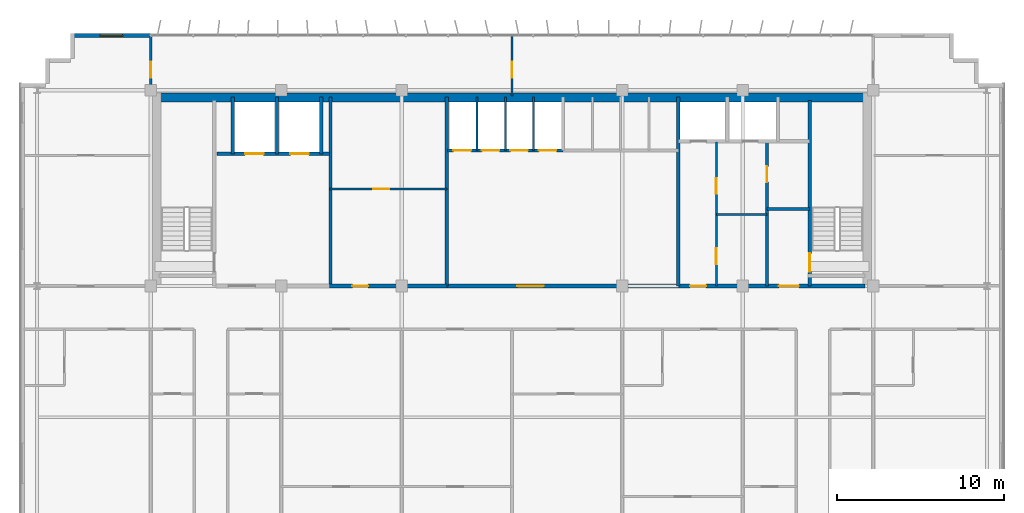
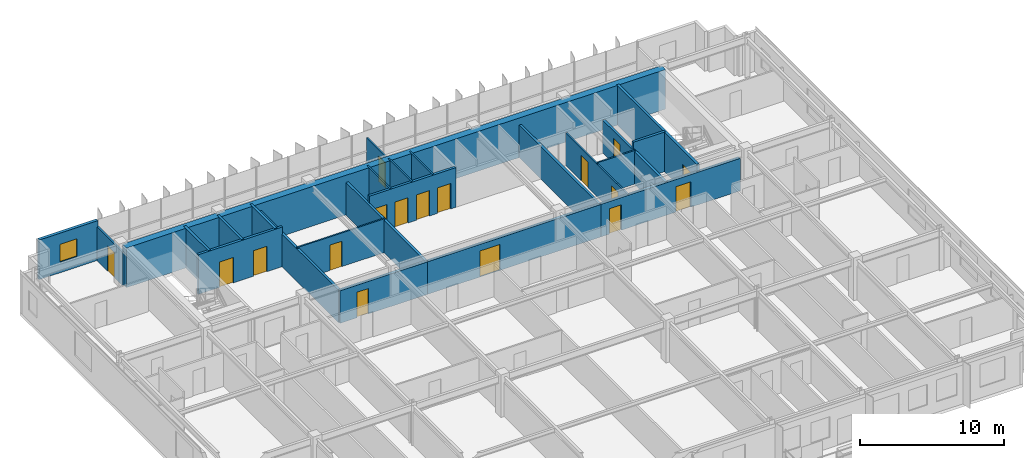
# One storey, part 17 of 20: 24 walls, 17 doors, 1 window, 18 openings.
"""IFC4 building model written with IfcOpenShell, lengths in metres."""

import ifcopenshell
import ifcopenshell.guid

model = None  # the IFC model being written
_history = None  # IfcOwnerHistory: only IFC2X3 demands one
_inside = {}  # id of a spatial element -> (the spatial element, [elements in it])
_under = {}  # id of a project, library or spatial element -> (it, [spatial elements below it])
_declared = {}  # id of a project -> (the project, [libraries it declares])
_typed = {}  # id of a type object -> (the type object, [elements of that type])
_made_of = {}  # id of a material, layer set ... -> (it, [elements and type objects made of it])


def new_model(schema):
    """Start an empty IFC model of exactly this schema.

    Asked for "IFC4X3", IfcOpenShell would pick the latest addendum, in which some entities
    have other attributes; the version numbers below select the first issue.
    IFC2X3 requires an IfcOwnerHistory on every rooted entity: one is made here for all.
    """
    global model, _history
    if schema == "IFC4X3":
        model = ifcopenshell.file(schema_version=(4, 3, 0, 0))
    else:
        model = ifcopenshell.file(schema=schema)
    _inside.clear()
    _under.clear()
    _declared.clear()
    _typed.clear()
    _made_of.clear()
    _history = None
    if model.schema == "IFC2X3":
        org = make("IfcOrganization", Name="unknown")
        user = make(
            "IfcPersonAndOrganization",
            ThePerson=make("IfcPerson", FamilyName="unknown"),
            TheOrganization=org,
        )
        app = make(
            "IfcApplication",
            ApplicationDeveloper=org,
            Version="unknown",
            ApplicationFullName="unknown",
            ApplicationIdentifier="unknown",
        )
        _history = make(
            "IfcOwnerHistory",
            OwningUser=user,
            OwningApplication=app,
            ChangeAction="ADDED",
            CreationDate=0,
        )
    return model


def make(cls, **values):
    """One entity of the class cls with the attributes given. An attribute that is None is left unset."""
    return model.create_entity(
        cls, **{name: value for name, value in values.items() if value is not None}
    )


def rooted(cls, **values):
    """An entity with a GlobalId (a new one), such as an element, a storey or a relation."""
    return make(cls, GlobalId=ifcopenshell.guid.new(), OwnerHistory=_history, **values)


def si_unit(unit_type, name, prefix=None):
    """IfcSIUnit, for example si_unit("LENGTHUNIT", "METRE", prefix="MILLI")."""
    return make("IfcSIUnit", UnitType=unit_type, Prefix=prefix, Name=name)


def assignment(units):
    """IfcUnitAssignment: the units of a project."""
    return None if units is None else make("IfcUnitAssignment", Units=units)


def point(xyz):
    """IfcCartesianPoint."""
    return None if xyz is None else make("IfcCartesianPoint", Coordinates=xyz)


def direction(xyz):
    """IfcDirection."""
    return None if xyz is None else make("IfcDirection", DirectionRatios=xyz)


def frame(location, z_axis=None, x_axis=None):
    """IfcAxis2Placement3D, a coordinate frame: its origin and axes. An axis left out is left unset."""
    return make(
        "IfcAxis2Placement3D",
        Location=point(location),
        Axis=direction(z_axis),
        RefDirection=direction(x_axis),
    )


def frame_2d(location, x_axis=None):
    """IfcAxis2Placement2D, a coordinate frame in the plane: its origin and x axis."""
    return make(
        "IfcAxis2Placement2D", Location=point(location), RefDirection=direction(x_axis)
    )


def origin():
    """The frame at (0, 0, 0) with its axes left unset."""
    return frame((0.0, 0.0, 0.0))


def place(relative_to, where):
    """IfcLocalPlacement: puts the frame where relative to a parent placement (None: the world)."""
    return make(
        "IfcLocalPlacement", PlacementRelTo=relative_to, RelativePlacement=where
    )


def context(
    kind, dimensions, precision=None, world=None, true_north=None, identifier=None
):
    """IfcGeometricRepresentationContext, for example the 3D "Model" context."""
    return make(
        "IfcGeometricRepresentationContext",
        ContextIdentifier=identifier,
        ContextType=kind,
        CoordinateSpaceDimension=dimensions,
        Precision=precision,
        WorldCoordinateSystem=world,
        TrueNorth=true_north,
    )


def subcontext(parent, identifier, kind, view, scale=None):
    """IfcGeometricRepresentationSubContext, for example "Body" below "Model"."""
    return make(
        "IfcGeometricRepresentationSubContext",
        ContextIdentifier=identifier,
        ContextType=kind,
        ParentContext=parent,
        TargetScale=scale,
        TargetView=view,
    )


def project(units=None, contexts=None):
    """IfcProject with its units and contexts."""
    return rooted(
        "IfcProject",
        Name="project",
        RepresentationContexts=contexts,
        UnitsInContext=assignment(units),
    )


def spatial(cls, under=None, at=None, **own):
    """A site, building, storey or space (cls), placed at a placement, below another one or the project."""
    s = rooted(cls, ObjectPlacement=at, **own)
    if under is not None:
        _under.setdefault(under.id(), (under, []))[1].append(s)
    return s


def profile(cls, at=None, kind="AREA", **sizes):
    """A parametric profile (cls). Its sizes go by their IFC names, for example OverallWidth=200.0."""
    return make(cls, ProfileType=kind, Position=at, **sizes)


def rectangle(**sizes):
    """IfcRectangleProfileDef."""
    return profile("IfcRectangleProfileDef", **sizes)


def extrude(swept, where, along, depth):
    """IfcExtrudedAreaSolid: the profile swept, set in the frame where, extruded along a direction by depth."""
    return make(
        "IfcExtrudedAreaSolid",
        SweptArea=swept,
        Position=where,
        ExtrudedDirection=direction(along),
        Depth=depth,
    )


def shape(context_of_items, identifier, shape_type, items):
    """IfcShapeRepresentation: the items that make up one representation, for example the "Body"."""
    return make(
        "IfcShapeRepresentation",
        ContextOfItems=context_of_items,
        RepresentationIdentifier=identifier,
        RepresentationType=shape_type,
        Items=items,
    )


def source(mapping_origin, context_of_items, identifier, shape_type, items):
    """IfcRepresentationMap: a shape defined once, which mapped items show again and again."""
    return make(
        "IfcRepresentationMap",
        MappingOrigin=mapping_origin,
        MappedRepresentation=shape(context_of_items, identifier, shape_type, items),
    )


def transform(
    local_origin,
    x_axis=None,
    y_axis=None,
    z_axis=None,
    scale=None,
    scale2=None,
    scale3=None,
    uniform=True,
):
    """IfcCartesianTransformationOperator3D, or its non-uniform kind. x_axis, y_axis, z_axis: its Axis1, 2, 3."""
    if uniform:
        return make(
            "IfcCartesianTransformationOperator3D",
            Axis1=direction(x_axis),
            Axis2=direction(y_axis),
            LocalOrigin=point(local_origin),
            Scale=scale,
            Axis3=direction(z_axis),
        )
    return make(
        "IfcCartesianTransformationOperator3DnonUniform",
        Axis1=direction(x_axis),
        Axis2=direction(y_axis),
        LocalOrigin=point(local_origin),
        Scale=scale,
        Axis3=direction(z_axis),
        Scale2=scale2,
        Scale3=scale3,
    )


def mapped(mapping_source, mapping_target):
    """IfcMappedItem: shows the shape of a source again, moved by a transform."""
    return make(
        "IfcMappedItem", MappingSource=mapping_source, MappingTarget=mapping_target
    )


def material(Name=None, Category=None):
    """IfcMaterial."""
    return make("IfcMaterial", Name=Name, Category=Category)


def layer(
    of_material, thickness, ventilated=None, Name=None, Category=None, Priority=None
):
    """IfcMaterialLayer: one layer of a wall or slab, of a material (None: an air gap)."""
    return make(
        "IfcMaterialLayer",
        Material=of_material,
        LayerThickness=thickness,
        IsVentilated=ventilated,
        Name=Name,
        Category=Category,
        Priority=Priority,
    )


def layer_set(layers, Name=None):
    """IfcMaterialLayerSet."""
    return make("IfcMaterialLayerSet", MaterialLayers=layers, LayerSetName=Name)


def made_of(thing, what):
    """Note that an element or type object is made of a material, layer set ...; save() writes the relation."""
    if what is not None:
        _made_of.setdefault(what.id(), (what, []))[1].append(thing)
    return thing


def type_object(cls, material=None, **own):
    """A type object (cls), such as IfcWallType, which elements share."""
    return made_of(rooted(cls, **own), material)


def element(
    cls,
    number,
    at=None,
    inside=None,
    cuts=None,
    type_object=None,
    material=None,
    context=None,
    identifier="Body",
    shape_type=None,
    held_by="IfcProductDefinitionShape",
    body=None,
    shapes=None,
    **own,
):
    """One element of the class cls, such as IfcWall. Its Tag is "e" and its number.

    at: its placement. inside: the storey or other place that contains it. cuts: it is an
    opening in that element (IfcRelVoidsElement). A single representation is given by context,
    identifier, shape_type and body (its items); several are given by shapes. held_by: the class
    of the entity that holds the representations. save() writes the other relations.
    """
    e = rooted(cls, Tag="e%d" % number, ObjectPlacement=at, **own)
    if body is not None:
        shapes = [shape(context, identifier, shape_type, body)]
    if shapes is not None:
        e.Representation = make(held_by, Representations=shapes)
    if inside is not None:
        _inside.setdefault(inside.id(), (inside, []))[1].append(e)
    if cuts is not None:
        rooted(
            "IfcRelVoidsElement", RelatingBuildingElement=cuts, RelatedOpeningElement=e
        )
    if type_object is not None:
        _typed.setdefault(type_object.id(), (type_object, []))[1].append(e)
    return made_of(e, material)


def fill(opening, filler):
    """IfcRelFillsElement: the door or window that sits in an opening."""
    return rooted(
        "IfcRelFillsElement",
        RelatingOpeningElement=opening,
        RelatedBuildingElement=filler,
    )


def aggregate(whole, parts):
    """IfcRelAggregates: a whole, such as a stair, and the parts it consists of."""
    return rooted("IfcRelAggregates", RelatingObject=whole, RelatedObjects=parts)


def save(model, path):
    """Write the relations noted so far, then the file.

    IfcRelAggregates (storeys below a building ...), IfcRelContainedInSpatialStructure (elements
    in a storey), IfcRelDefinesByType, IfcRelAssociatesMaterial and IfcRelDeclares: one each for
    every whole, place, type object, material and project.
    """
    for whole, parts in _under.values():
        aggregate(whole, parts)
    for where, things in _inside.values():
        rooted(
            "IfcRelContainedInSpatialStructure",
            RelatedElements=things,
            RelatingStructure=where,
        )
    for kind, things in _typed.values():
        rooted("IfcRelDefinesByType", RelatedObjects=things, RelatingType=kind)
    for what, things in _made_of.values():
        rooted("IfcRelAssociatesMaterial", RelatedObjects=things, RelatingMaterial=what)
    for by, libraries in _declared.values():
        rooted("IfcRelDeclares", RelatingContext=by, RelatedDefinitions=libraries)
    model.write(path)


model = new_model("IFC4")

# Units and contexts
model_context = context("Model", 3, precision=1e-05, world=origin(), true_north=direction((0.0, 1.0)))
body_context = subcontext(model_context, "Body", "Model", "MODEL_VIEW")
ifc_project = project(units=[si_unit("LENGTHUNIT", "METRE"), si_unit("AREAUNIT", "SQUARE_METRE"), si_unit("VOLUMEUNIT", "CUBIC_METRE"), si_unit("PLANEANGLEUNIT", "RADIAN"), si_unit("MASSUNIT", "GRAM", prefix="KILO")], contexts=[model_context])

# Site, building, storey
site_placement = place(None, origin())
site = spatial("IfcSite", under=ifc_project, at=site_placement, CompositionType="ELEMENT")
building_placement = place(site_placement, origin())
building = spatial("IfcBuilding", under=site, at=building_placement, Name="Trelvane Seafront Commons", CompositionType="ELEMENT")
storey_placement = place(building_placement, frame((0.0, 0.0, 164.5)))
storey = spatial("IfcBuildingStorey", under=building, at=storey_placement, Name="L43", CompositionType="ELEMENT", Elevation=164.5)

# Wall, opening, window
ifc_material_1 = material(Name="Precast concrete C40/50", Category="concrete")
ifc_layer_1 = layer(ifc_material_1, 0.239990234375, Name="ARCH-WALL-EXT240")
ifc_layer_set_1 = layer_set([ifc_layer_1], Name="Precast concrete C40/50")
wall_type_1 = type_object("IfcWallType", Name="ARCH-WALL-EXT240", PredefinedType="SOLIDWALL", material=ifc_layer_set_1)
wall_1_placement = place(storey_placement, frame((10.89990234375, 48.3701171875, 0.0), z_axis=(0.0, 0.0, 1.0), x_axis=(1.0, 0.0, 0.0)))
wall_1 = element("IfcWall", 1, at=wall_1_placement, inside=storey, type_object=wall_type_1, Name="EW-L43-NW-0842", PredefinedType="SOLIDWALL", context=body_context, shape_type="SweptSolid", body=[
    extrude(rectangle(XDim=4.7001953125, YDim=0.239990234375, at=frame_2d((2.35009765625, 0.0))), origin(), (0.0, 0.0, 1.0), 3.35009765625),
])
opening_1_placement = place(wall_1_placement, frame((1.675048828125, 0.0, 0.89990234375)))
opening_1 = element("IfcOpeningElement", 2, at=opening_1_placement, cuts=wall_1, Name="Opening W09", PredefinedType="OPENING", context=body_context, shape_type="SweptSolid", body=[
    extrude(rectangle(XDim=1.35009765625, YDim=1.5, at=frame_2d((0.675048828125, 0.75))), frame((0.0, 0.1298828125, 0.0), z_axis=(0.0, -1.0, 0.0), x_axis=(1.0, 0.0, 0.0)), (0.0, 0.0, 1.0), 0.260009765625),
])
ifc_material_2 = material(Name="Low-E coastal double glazing", Category="glass")
window_type = type_object("IfcWindowType", Name="ARCH-WIN-W09", PartitioningType="SINGLE_PANEL", PredefinedType="WINDOW", material=ifc_material_2)
shared_shape_1 = source(origin(), body_context, "Body", "SweptSolid", [
    extrude(rectangle(XDim=1.35009765625, YDim=1.5, at=frame_2d((0.675048828125, 0.75))), frame((0.0, 0.030029296875, 0.0), z_axis=(0.0, -1.0, 0.0), x_axis=(1.0, 0.0, 0.0)), (0.0, 0.0, 1.0), 0.06005859375),
])
window_placement = place(opening_1_placement, origin())
window = element("IfcWindow", 3, at=window_placement, inside=storey, type_object=window_type, Name="WIN-L43-01012", OverallHeight=1.5, OverallWidth=1.35009765625, PartitioningType="SINGLE_PANEL", PredefinedType="WINDOW", context=body_context, shape_type="MappedRepresentation", body=[
    mapped(shared_shape_1, transform((0.0, 0.0, 0.0), x_axis=(1.0, 0.0, 0.0), y_axis=(0.0, 1.0, 0.0), z_axis=(0.0, 0.0, 1.0), scale=1.0)),
])
fill(opening_1, window)

# Wall, opening, door
ifc_material_3 = material(Name="Concrete C40/50", Category="concrete")
ifc_layer_2 = layer(ifc_material_3, 0.199951171875, Name="ARCH-WALL-FIRE200")
ifc_layer_set_2 = layer_set([ifc_layer_2], Name="Concrete C40/50")
wall_type_2 = type_object("IfcWallType", Name="ARCH-WALL-FIRE200", PredefinedType="PARTITIONING", material=ifc_layer_set_2)
wall_2_placement = place(storey_placement, frame((52.449951171875, 33.39990234375, 0.0), z_axis=(0.0, 0.0, 1.0), x_axis=(0.0, 1.0, 0.0)))
wall_2 = element("IfcWall", 4, at=wall_2_placement, inside=storey, type_object=wall_type_2, Name="W-L43-ST2V-W-031", PredefinedType="PARTITIONING", context=body_context, shape_type="SweptSolid", body=[
    extrude(rectangle(XDim=8.650146484375, YDim=0.199951171875, at=frame_2d((4.3251953125, 0.0))), origin(), (0.0, 0.0, 1.0), 2.75),
])
opening_2_placement = place(wall_2_placement, frame((6.199951171875, 0.0, 0.0)))
opening_2 = element("IfcOpeningElement", 5, at=opening_2_placement, cuts=wall_2, Name="Opening FD-L43-15", PredefinedType="OPENING", context=body_context, shape_type="SweptSolid", body=[
    extrude(rectangle(XDim=0.949951171875, YDim=2.14990234375, at=frame_2d((0.47509765625, 1.074951171875))), frame((0.0, 0.10986328125, 0.0), z_axis=(0.0, -1.0, 0.0), x_axis=(1.0, 0.0, 0.0)), (0.0, 0.0, 1.0), 0.219970703125),
])
ifc_material_4 = material(Name="Powder-coated aluminium frame", Category="aluminium")
door_type_1 = type_object("IfcDoorType", Name="ARCH-DR-FD60-950", OperationType="NOTDEFINED", PredefinedType="DOOR", material=ifc_material_4)
shared_shape_2 = source(origin(), body_context, "Body", "SweptSolid", [
    extrude(rectangle(XDim=0.949951171875, YDim=2.14990234375, at=frame_2d((0.47509765625, 1.074951171875))), frame((0.0, 0.02490234375, 0.0), z_axis=(0.0, -1.0, 0.0), x_axis=(1.0, 0.0, 0.0)), (0.0, 0.0, 1.0), 0.050048828125),
])
door_1_placement = place(opening_2_placement, origin())
door_1 = element("IfcDoor", 6, at=door_1_placement, inside=storey, type_object=door_type_1, Name="L43 Cleaner Store Door", OperationType="SINGLE_SWING_LEFT", OverallHeight=2.14990234375, OverallWidth=0.949951171875, PredefinedType="DOOR", context=body_context, shape_type="MappedRepresentation", body=[
    mapped(shared_shape_2, transform((0.0, 0.0, 0.0), x_axis=(1.0, 0.0, 0.0), y_axis=(0.0, 1.0, 0.0), z_axis=(0.0, 0.0, 1.0), scale=1.0)),
])
fill(opening_2, door_1)

# Wall
wall_3_placement = place(storey_placement, frame((52.449951171875, 38.0, 0.0), z_axis=(0.0, 0.0, 1.0), x_axis=(1.0, 0.0, 0.0)))
element("IfcWall", 7, at=wall_3_placement, inside=storey, type_object=wall_type_2, Name="W-L43-ST2V-N-032", PredefinedType="PARTITIONING", context=body_context, shape_type="SweptSolid", body=[
    extrude(rectangle(XDim=2.550048828125, YDim=0.199951171875, at=frame_2d((1.27490234375, 0.0))), origin(), (0.0, 0.0, 1.0), 3.35009765625),
])

# Wall, opening, door
ifc_layer_3 = layer(ifc_material_3, 0.25, Name="ARCH-WALL-FIRE250")
ifc_layer_set_3 = layer_set([ifc_layer_3], Name="Concrete C40/50")
wall_type_3 = type_object("IfcWallType", Name="ARCH-WALL-FIRE250", PredefinedType="PARTITIONING", material=ifc_layer_set_3)
wall_4_placement = place(storey_placement, frame((26.300048828125, 33.39990234375, 0.0), z_axis=(0.0, 0.0, 1.0), x_axis=(1.0, 0.0, 0.0)))
wall_4 = element("IfcWall", 8, at=wall_4_placement, inside=storey, type_object=wall_type_3, Name="W-L43-CS-FPL-026", PredefinedType="PARTITIONING", context=body_context, shape_type="SweptSolid", body=[
    extrude(rectangle(XDim=7.0, YDim=0.25, at=frame_2d((3.5, 0.0))), origin(), (0.0, 0.0, 1.0), 2.75),
])
opening_3_placement = place(wall_4_placement, frame((1.35009765625, 0.0, 0.0)))
opening_3 = element("IfcOpeningElement", 9, at=opening_3_placement, cuts=wall_4, Name="Opening D-L43-11", PredefinedType="OPENING", context=body_context, shape_type="SweptSolid", body=[
    extrude(rectangle(XDim=0.949951171875, YDim=2.14990234375, at=frame_2d((0.47509765625, 1.074951171875))), frame((0.0, 0.135009765625, 0.0), z_axis=(0.0, -1.0, 0.0), x_axis=(1.0, 0.0, 0.0)), (0.0, 0.0, 1.0), 0.27001953125),
])
ifc_material_5 = material(Name="Acoustic timber door leaf", Category="wood")
door_type_2 = type_object("IfcDoorType", Name="ARCH-DR-INT950", OperationType="NOTDEFINED", PredefinedType="DOOR", material=ifc_material_5)
door_2_placement = place(opening_3_placement, origin())
door_2 = element("IfcDoor", 10, at=door_2_placement, inside=storey, type_object=door_type_2, Name="L43 Floor Pantry Entrance Door", OperationType="SINGLE_SWING_LEFT", OverallHeight=2.14990234375, OverallWidth=0.949951171875, PredefinedType="DOOR", context=body_context, shape_type="MappedRepresentation", body=[
    mapped(shared_shape_2, transform((0.0, 0.0, 0.0), x_axis=(1.0, 0.0, 0.0), y_axis=(0.0, 1.0, 0.0), z_axis=(0.0, 0.0, 1.0), scale=1.0)),
])
fill(opening_3, door_2)

wall_5_placement = place(storey_placement, frame((33.300048828125, 33.39990234375, 0.0), z_axis=(0.0, 0.0, 1.0), x_axis=(1.0, 0.0, 0.0)))
wall_5 = element("IfcWall", 11, at=wall_5_placement, inside=storey, type_object=wall_type_3, Name="W-L43-CS-PAX-027", PredefinedType="PARTITIONING", context=body_context, shape_type="SweptSolid", body=[
    extrude(rectangle(XDim=13.849853515625, YDim=0.25, at=frame_2d((6.9248046875, 0.0))), origin(), (0.0, 0.0, 1.0), 2.75),
])
opening_4_placement = place(wall_5_placement, frame((4.199951171875, 0.0, 0.0)))
opening_4 = element("IfcOpeningElement", 12, at=opening_4_placement, cuts=wall_5, Name="Opening FD-L43-12", PredefinedType="OPENING", context=body_context, shape_type="SweptSolid", body=[
    extrude(rectangle(XDim=1.60009765625, YDim=2.199951171875, at=frame_2d((0.800048828125, 1.10009765625))), frame((0.0, 0.135009765625, 0.0), z_axis=(0.0, -1.0, 0.0), x_axis=(1.0, 0.0, 0.0)), (0.0, 0.0, 1.0), 0.27001953125),
])
door_type_3 = type_object("IfcDoorType", Name="ARCH-DR-FD60-1600", OperationType="DOUBLE_DOOR_SINGLE_SWING", PredefinedType="DOOR", material=ifc_material_4)
shared_shape_3 = source(origin(), body_context, "Body", "SweptSolid", [
    extrude(rectangle(XDim=1.60009765625, YDim=2.199951171875, at=frame_2d((0.800048828125, 1.10009765625))), frame((0.0, 0.02490234375, 0.0), z_axis=(0.0, -1.0, 0.0), x_axis=(1.0, 0.0, 0.0)), (0.0, 0.0, 1.0), 0.050048828125),
])
door_3_placement = place(opening_4_placement, origin())
door_3 = element("IfcDoor", 13, at=door_3_placement, inside=storey, type_object=door_type_3, Name="L43 Passenger Lift Lobby Double Door", OperationType="DOUBLE_DOOR_SINGLE_SWING", OverallHeight=2.199951171875, OverallWidth=1.60009765625, PredefinedType="DOOR", context=body_context, shape_type="MappedRepresentation", body=[
    mapped(shared_shape_3, transform((0.0, 0.0, 0.0), x_axis=(1.0, 0.0, 0.0), y_axis=(0.0, 1.0, 0.0), z_axis=(0.0, 0.0, 1.0), scale=1.0)),
])
fill(opening_4, door_3)

# Wall, openings, doors
wall_6_placement = place(storey_placement, frame((47.14990234375, 33.39990234375, 0.0), z_axis=(0.0, 0.0, 1.0), x_axis=(1.0, 0.0, 0.0)))
wall_6 = element("IfcWall", 14, at=wall_6_placement, inside=storey, type_object=wall_type_3, Name="W-L43-CS-EAST-035", PredefinedType="PARTITIONING", context=body_context, shape_type="SweptSolid", body=[
    extrude(rectangle(XDim=11.150146484375, YDim=0.25, at=frame_2d((5.5751953125, 0.0))), origin(), (0.0, 0.0, 1.0), 2.75),
])
opening_5_placement = place(wall_6_placement, frame((0.699951171875, 0.0, 0.0)))
opening_5 = element("IfcOpeningElement", 15, at=opening_5_placement, cuts=wall_6, Name="Opening FD-L43-18", PredefinedType="OPENING", context=body_context, shape_type="SweptSolid", body=[
    extrude(rectangle(XDim=0.949951171875, YDim=2.14990234375, at=frame_2d((0.47509765625, 1.074951171875))), frame((0.0, 0.135009765625, 0.0), z_axis=(0.0, -1.0, 0.0), x_axis=(1.0, 0.0, 0.0)), (0.0, 0.0, 1.0), 0.27001953125),
])
opening_6_placement = place(wall_6_placement, frame((6.0, 0.0, 0.0)))
opening_6 = element("IfcOpeningElement", 16, at=opening_6_placement, cuts=wall_6, Name="Opening FD-L43-19", PredefinedType="OPENING", context=body_context, shape_type="SweptSolid", body=[
    extrude(rectangle(XDim=1.199951171875, YDim=2.14990234375, at=frame_2d((0.60009765625, 1.074951171875))), frame((0.0, 0.135009765625, 0.0), z_axis=(0.0, -1.0, 0.0), x_axis=(1.0, 0.0, 0.0)), (0.0, 0.0, 1.0), 0.27001953125),
])
door_4_placement = place(opening_5_placement, origin())
door_4 = element("IfcDoor", 17, at=door_4_placement, inside=storey, type_object=door_type_1, Name="L43 Core Service Lobby Door", OperationType="SINGLE_SWING_RIGHT", OverallHeight=2.14990234375, OverallWidth=0.949951171875, PredefinedType="DOOR", context=body_context, shape_type="MappedRepresentation", body=[
    mapped(shared_shape_2, transform((0.0, 0.0, 0.0), x_axis=(1.0, 0.0, 0.0), y_axis=(0.0, 1.0, 0.0), z_axis=(0.0, 0.0, 1.0), scale=1.0)),
])
fill(opening_5, door_4)
door_type_4 = type_object("IfcDoorType", Name="ARCH-DR-FD60-1200", OperationType="NOTDEFINED", PredefinedType="DOOR", material=ifc_material_4)
shared_shape_4 = source(origin(), body_context, "Body", "SweptSolid", [
    extrude(rectangle(XDim=1.199951171875, YDim=2.14990234375, at=frame_2d((0.60009765625, 1.074951171875))), frame((0.0, 0.02490234375, 0.0), z_axis=(0.0, -1.0, 0.0), x_axis=(1.0, 0.0, 0.0)), (0.0, 0.0, 1.0), 0.050048828125),
])
door_5_placement = place(opening_6_placement, origin())
door_5 = element("IfcDoor", 18, at=door_5_placement, inside=storey, type_object=door_type_4, Name="L43 East Stair Vestibule Fire Door", OperationType="SINGLE_SWING_LEFT", OverallHeight=2.14990234375, OverallWidth=1.199951171875, PredefinedType="DOOR", context=body_context, shape_type="MappedRepresentation", body=[
    mapped(shared_shape_4, transform((0.0, 0.0, 0.0), x_axis=(1.0, 0.0, 0.0), y_axis=(0.0, 1.0, 0.0), z_axis=(0.0, 0.0, 1.0), scale=1.0)),
])
fill(opening_6, door_5)

# Wall, opening, door
ifc_material_6 = material(Name="Gypsum Drywall Acoustic Partition")
ifc_layer_4 = layer(ifc_material_6, 0.1201171875, Name="ARCH-WALL-PART120")
ifc_layer_set_4 = layer_set([ifc_layer_4], Name="Gypsum Drywall Acoustic Partition")
wall_type_4 = type_object("IfcWallType", Name="ARCH-WALL-PART120", PredefinedType="PARTITIONING", material=ifc_layer_set_4)
wall_7_placement = place(storey_placement, frame((26.300048828125, 39.199951171875, 0.0), z_axis=(0.0, 0.0, 1.0), x_axis=(1.0, 0.0, 0.0)))
wall_7 = element("IfcWall", 19, at=wall_7_placement, inside=storey, type_object=wall_type_4, Name="W-L43-FREED-PL-MID-014", PredefinedType="PARTITIONING", context=body_context, shape_type="SweptSolid", body=[
    extrude(rectangle(XDim=7.0, YDim=0.1201171875, at=frame_2d((3.5, 0.0))), origin(), (0.0, 0.0, 1.0), 2.85009765625),
])
opening_7_placement = place(wall_7_placement, frame((2.60009765625, 0.0, 0.0)))
opening_7 = element("IfcOpeningElement", 20, at=opening_7_placement, cuts=wall_7, Name="Opening D-L43-06", PredefinedType="OPENING", context=body_context, shape_type="SweptSolid", body=[
    extrude(rectangle(XDim=0.949951171875, YDim=2.14990234375, at=frame_2d((0.47509765625, 1.074951171875))), frame((0.0, 0.070068359375, 0.0), z_axis=(0.0, -1.0, 0.0), x_axis=(1.0, 0.0, 0.0)), (0.0, 0.0, 1.0), 0.14013671875),
])
door_6_placement = place(opening_7_placement, origin())
door_6 = element("IfcDoor", 21, at=door_6_placement, inside=storey, type_object=door_type_2, Name="L43 Housekeeping Store Door", OperationType="SINGLE_SWING_RIGHT", OverallHeight=2.14990234375, OverallWidth=0.949951171875, PredefinedType="DOOR", context=body_context, shape_type="MappedRepresentation", body=[
    mapped(shared_shape_2, transform((0.0, 0.0, 0.0), x_axis=(1.0, 0.0, 0.0), y_axis=(0.0, 1.0, 0.0), z_axis=(0.0, 0.0, 1.0), scale=1.0)),
])
fill(opening_7, door_6)

# Walls
for number, where, z_axis, x_axis, name in (
    (22, (35.10009765625, 41.5, 0.0), (0.0, 0.0, 1.0), (0.0, 1.0, 0.0), "W-L43-PM-DIV1-017"),
    (23, (36.800048828125, 41.5, 0.0), (0.0, 0.0, 1.0), (0.0, 1.0, 0.0), "W-L43-PM-DIV2-018"),
    (24, (38.5, 41.5, 0.0), (0.0, 0.0, 1.0), (0.0, 1.0, 0.0), "W-L43-PM-DIV3-019"),
):
    element("IfcWall", number, at=place(storey_placement, frame(where, z_axis=z_axis, x_axis=x_axis)), inside=storey, type_object=wall_type_4, Name=name, PredefinedType="PARTITIONING", context=body_context, shape_type="SweptSolid", body=[
        extrude(rectangle(XDim=3.199951171875, YDim=0.1201171875, at=frame_2d((1.60009765625, 0.0))), origin(), (0.0, 0.0, 1.0), 3.35009765625),
    ])

# Wall, openings, doors
wall_8_placement = place(storey_placement, frame((49.419921875, 33.39990234375, 0.0), z_axis=(0.0, 0.0, 1.0), x_axis=(0.0, 1.0, 0.0)))
wall_8 = element("IfcWall", 25, at=wall_8_placement, inside=storey, type_object=wall_type_4, Name="W-L43-CYC0-V-033", PredefinedType="PARTITIONING", context=body_context, shape_type="SweptSolid", body=[
    extrude(rectangle(XDim=8.60009765625, YDim=0.1201171875, at=frame_2d((4.300048828125, 0.0))), origin(), (0.0, 0.0, 1.0), 2.75),
])
opening_8_placement = place(wall_8_placement, frame((1.300048828125, 0.0, 0.0)))
opening_8 = element("IfcOpeningElement", 26, at=opening_8_placement, cuts=wall_8, Name="Opening D-L43-16", PredefinedType="OPENING", context=body_context, shape_type="SweptSolid", body=[
    extrude(rectangle(XDim=0.949951171875, YDim=2.14990234375, at=frame_2d((0.47509765625, 1.074951171875))), frame((0.0, 0.070068359375, 0.0), z_axis=(0.0, -1.0, 0.0), x_axis=(1.0, 0.0, 0.0)), (0.0, 0.0, 1.0), 0.14013671875),
])
opening_9_placement = place(wall_8_placement, frame((5.5, 0.0, 0.0)))
opening_9 = element("IfcOpeningElement", 27, at=opening_9_placement, cuts=wall_8, Name="Opening D-L43-17", PredefinedType="OPENING", context=body_context, shape_type="SweptSolid", body=[
    extrude(rectangle(XDim=0.949951171875, YDim=2.14990234375, at=frame_2d((0.47509765625, 1.074951171875))), frame((0.0, 0.070068359375, 0.0), z_axis=(0.0, -1.0, 0.0), x_axis=(1.0, 0.0, 0.0)), (0.0, 0.0, 1.0), 0.14013671875),
])
door_7_placement = place(opening_8_placement, origin())
door_7 = element("IfcDoor", 28, at=door_7_placement, inside=storey, type_object=door_type_2, Name="L43 Accessible WC Door", OperationType="SINGLE_SWING_RIGHT", OverallHeight=2.14990234375, OverallWidth=0.949951171875, PredefinedType="DOOR", context=body_context, shape_type="MappedRepresentation", body=[
    mapped(shared_shape_2, transform((0.0, 0.0, 0.0), x_axis=(1.0, 0.0, 0.0), y_axis=(0.0, 1.0, 0.0), z_axis=(0.0, 0.0, 1.0), scale=1.0)),
])
fill(opening_8, door_7)
door_8_placement = place(opening_9_placement, origin())
door_8 = element("IfcDoor", 29, at=door_8_placement, inside=storey, type_object=door_type_2, Name="L43 Common WC Door", OperationType="SINGLE_SWING_LEFT", OverallHeight=2.14990234375, OverallWidth=0.949951171875, PredefinedType="DOOR", context=body_context, shape_type="MappedRepresentation", body=[
    mapped(shared_shape_2, transform((0.0, 0.0, 0.0), x_axis=(1.0, 0.0, 0.0), y_axis=(0.0, 1.0, 0.0), z_axis=(0.0, 0.0, 1.0), scale=1.0)),
])
fill(opening_9, door_8)

# Wall
wall_9_placement = place(storey_placement, frame((49.419921875, 37.679931640625, 0.0), z_axis=(0.0, 0.0, 1.0), x_axis=(1.0, 0.0, 0.0)))
element("IfcWall", 30, at=wall_9_placement, inside=storey, type_object=wall_type_4, Name="W-L43-CYC0-H-034", PredefinedType="PARTITIONING", context=body_context, shape_type="SweptSolid", body=[
    extrude(rectangle(XDim=3.030029296875, YDim=0.1201171875, at=frame_2d((1.51513671875, 0.0))), origin(), (0.0, 0.0, 1.0), 2.85009765625),
])

# Wall, opening, door
wall_10_placement = place(storey_placement, frame((37.199951171875, 44.75, 0.0), z_axis=(0.0, 0.0, 1.0), x_axis=(0.0, 1.0, 0.0)))
wall_10 = element("IfcWall", 31, at=wall_10_placement, inside=storey, type_object=wall_type_4, Name="W-L43-N-MID-DV-040", PredefinedType="PARTITIONING", context=body_context, shape_type="SweptSolid", body=[
    extrude(rectangle(XDim=3.610107421875, YDim=0.1201171875, at=frame_2d((1.80517578125, 0.0))), origin(), (0.0, 0.0, 1.0), 2.75),
])
opening_10_placement = place(wall_10_placement, frame((1.10009765625, 0.0, 0.0)))
opening_10 = element("IfcOpeningElement", 32, at=opening_10_placement, cuts=wall_10, Name="Opening D-L43-24", PredefinedType="OPENING", context=body_context, shape_type="SweptSolid", body=[
    extrude(rectangle(XDim=0.949951171875, YDim=2.14990234375, at=frame_2d((0.47509765625, 1.074951171875))), frame((0.0, 0.070068359375, 0.0), z_axis=(0.0, -1.0, 0.0), x_axis=(1.0, 0.0, 0.0)), (0.0, 0.0, 1.0), 0.14013671875),
])
door_9_placement = place(opening_10_placement, origin())
door_9 = element("IfcDoor", 33, at=door_9_placement, inside=storey, type_object=door_type_2, Name="L43 Door 24", OperationType="SINGLE_SWING_RIGHT", OverallHeight=2.14990234375, OverallWidth=0.949951171875, PredefinedType="DOOR", context=body_context, shape_type="MappedRepresentation", body=[
    mapped(shared_shape_2, transform((0.0, 0.0, 0.0), x_axis=(1.0, 0.0, 0.0), y_axis=(0.0, 1.0, 0.0), z_axis=(0.0, 0.0, 1.0), scale=1.0)),
])
fill(opening_10, door_9)

ifc_layer_5 = layer(ifc_material_6, 0.14990234375, Name="ARCH-WALL-PART150")
ifc_layer_set_5 = layer_set([ifc_layer_5], Name="Gypsum Drywall Acoustic Partition")
wall_type_5 = type_object("IfcWallType", Name="ARCH-WALL-PART150", PredefinedType="PARTITIONING", material=ifc_layer_set_5)
wall_11_placement = place(storey_placement, frame((15.60009765625, 44.75, 0.0), z_axis=(0.0, 0.0, 1.0), x_axis=(0.0, 1.0, 0.0)))
wall_11 = element("IfcWall", 34, at=wall_11_placement, inside=storey, type_object=wall_type_5, Name="W-L43-N-LINK-W-041", PredefinedType="PARTITIONING", context=body_context, shape_type="SweptSolid", body=[
    extrude(rectangle(XDim=3.610107421875, YDim=0.14990234375, at=frame_2d((1.80517578125, 0.0))), origin(), (0.0, 0.0, 1.0), 2.85009765625),
])
opening_11_placement = place(wall_11_placement, frame((1.10009765625, 0.0, 0.0)))
opening_11 = element("IfcOpeningElement", 35, at=opening_11_placement, cuts=wall_11, Name="Opening FD-L43-25", PredefinedType="OPENING", context=body_context, shape_type="SweptSolid", body=[
    extrude(rectangle(XDim=0.949951171875, YDim=2.14990234375, at=frame_2d((0.47509765625, 1.074951171875))), frame((0.0, 0.0849609375, 0.0), z_axis=(0.0, -1.0, 0.0), x_axis=(1.0, 0.0, 0.0)), (0.0, 0.0, 1.0), 0.169921875),
])
door_10_placement = place(opening_11_placement, origin())
door_10 = element("IfcDoor", 36, at=door_10_placement, inside=storey, type_object=door_type_1, Name="L43 Door 25", OperationType="SINGLE_SWING_LEFT", OverallHeight=2.14990234375, OverallWidth=0.949951171875, PredefinedType="DOOR", context=body_context, shape_type="MappedRepresentation", body=[
    mapped(shared_shape_2, transform((0.0, 0.0, 0.0), x_axis=(1.0, 0.0, 0.0), y_axis=(0.0, 1.0, 0.0), z_axis=(0.0, 0.0, 1.0), scale=1.0)),
])
fill(opening_11, door_10)

# Wall, openings, doors
ifc_layer_6 = layer(ifc_material_3, 0.199951171875, Name="ARCH-WALL-SHAFT200")
ifc_layer_set_6 = layer_set([ifc_layer_6], Name="Concrete C40/50")
wall_type_6 = type_object("IfcWallType", Name="ARCH-WALL-SHAFT200", PredefinedType="SOLIDWALL", material=ifc_layer_set_6)
wall_12_placement = place(storey_placement, frame((19.550048828125, 41.300048828125, 0.0), z_axis=(0.0, 0.0, 1.0), x_axis=(1.0, 0.0, 0.0)))
wall_12 = element("IfcWall", 37, at=wall_12_placement, inside=storey, type_object=wall_type_6, Name="W-L43-FFL-FRONT-008", PredefinedType="SOLIDWALL", context=body_context, shape_type="SweptSolid", body=[
    extrude(rectangle(XDim=6.75, YDim=0.199951171875, at=frame_2d((3.375, 0.0))), origin(), (0.0, 0.0, 1.0), 3.35009765625),
])
opening_12_placement = place(wall_12_placement, frame((1.699951171875, 0.0, 0.0)))
opening_12 = element("IfcOpeningElement", 38, at=opening_12_placement, cuts=wall_12, Name="Opening LD-FF1-L43", PredefinedType="OPENING", context=body_context, shape_type="SweptSolid", body=[
    extrude(rectangle(XDim=1.10009765625, YDim=2.14990234375, at=frame_2d((0.550048828125, 1.074951171875))), frame((0.0, 0.10986328125, 0.0), z_axis=(0.0, -1.0, 0.0), x_axis=(1.0, 0.0, 0.0)), (0.0, 0.0, 1.0), 0.219970703125),
])
opening_13_placement = place(wall_12_placement, frame((4.39990234375, 0.0, 0.0)))
opening_13 = element("IfcOpeningElement", 39, at=opening_13_placement, cuts=wall_12, Name="Opening LD-FF2-L43", PredefinedType="OPENING", context=body_context, shape_type="SweptSolid", body=[
    extrude(rectangle(XDim=1.10009765625, YDim=2.14990234375, at=frame_2d((0.550048828125, 1.074951171875))), frame((0.0, 0.10986328125, 0.0), z_axis=(0.0, -1.0, 0.0), x_axis=(1.0, 0.0, 0.0)), (0.0, 0.0, 1.0), 0.219970703125),
])
ifc_material_7 = material(Name="Stainless steel balustrade", Category="steel")
door_type_5 = type_object("IfcDoorType", Name="ARCH-DR-LD1100", OperationType="DOUBLE_DOOR_SLIDING", PredefinedType="DOOR", material=ifc_material_7)
shared_shape_5 = source(origin(), body_context, "Body", "SweptSolid", [
    extrude(rectangle(XDim=1.10009765625, YDim=2.14990234375, at=frame_2d((0.550048828125, 1.074951171875))), frame((0.0, 0.02490234375, 0.0), z_axis=(0.0, -1.0, 0.0), x_axis=(1.0, 0.0, 0.0)), (0.0, 0.0, 1.0), 0.050048828125),
])
door_11_placement = place(opening_12_placement, origin())
door_11 = element("IfcDoor", 40, at=door_11_placement, inside=storey, type_object=door_type_5, Name="L43 Firefighting Lift FFL-1 Landing Door", OperationType="DOUBLE_DOOR_SLIDING", OverallHeight=2.14990234375, OverallWidth=1.10009765625, PredefinedType="DOOR", context=body_context, shape_type="MappedRepresentation", body=[
    mapped(shared_shape_5, transform((0.0, 0.0, 0.0), x_axis=(1.0, 0.0, 0.0), y_axis=(0.0, 1.0, 0.0), z_axis=(0.0, 0.0, 1.0), scale=1.0)),
])
fill(opening_12, door_11)
door_12_placement = place(opening_13_placement, origin())
door_12 = element("IfcDoor", 41, at=door_12_placement, inside=storey, type_object=door_type_5, Name="L43 Firefighting Lift FFL-2 Landing Door", OperationType="DOUBLE_DOOR_SLIDING", OverallHeight=2.14990234375, OverallWidth=1.10009765625, PredefinedType="DOOR", context=body_context, shape_type="MappedRepresentation", body=[
    mapped(shared_shape_5, transform((0.0, 0.0, 0.0), x_axis=(1.0, 0.0, 0.0), y_axis=(0.0, 1.0, 0.0), z_axis=(0.0, 0.0, 1.0), scale=1.0)),
])
fill(opening_13, door_12)

# Walls
for number, where, z_axis, x_axis, name in (
    (42, (20.5, 41.300048828125, 0.0), (0.0, 0.0, 1.0), (0.0, 1.0, 0.0), "W-L43-FFL-SH-W-009"),
    (43, (23.14990234375, 41.300048828125, 0.0), (0.0, 0.0, 1.0), (0.0, 1.0, 0.0), "W-L43-FFL-DIV-010"),
    (44, (25.800048828125, 41.300048828125, 0.0), (0.0, 0.0, 1.0), (0.0, 1.0, 0.0), "W-L43-FFL-SH-E-011"),
):
    element("IfcWall", number, at=place(storey_placement, frame(where, z_axis=z_axis, x_axis=x_axis)), inside=storey, type_object=wall_type_6, Name=name, PredefinedType="SOLIDWALL", context=body_context, shape_type="SweptSolid", body=[
        extrude(rectangle(XDim=3.39990234375, YDim=0.199951171875, at=frame_2d((1.699951171875, 0.0))), origin(), (0.0, 0.0, 1.0), 3.35009765625),
    ])
for number, where, z_axis, x_axis, name in (
    (45, (26.35009765625, 33.39990234375, 0.0), (0.0, 0.0, 1.0), (0.0, 1.0, 0.0), "W-L43-FFL-EAST-012"),
    (46, (33.300048828125, 33.39990234375, 0.0), (0.0, 0.0, 1.0), (0.0, 1.0, 0.0), "W-L43-FREED-PL-E-015"),
):
    element("IfcWall", number, at=place(storey_placement, frame(where, z_axis=z_axis, x_axis=x_axis)), inside=storey, type_object=wall_type_6, Name=name, PredefinedType="SOLIDWALL", context=body_context, shape_type="SweptSolid", body=[
        extrude(rectangle(XDim=11.300048828125, YDim=0.199951171875, at=frame_2d((5.64990234375, 0.0))), origin(), (0.0, 0.0, 1.0), 2.75),
    ])

# Wall, openings, doors
wall_13_placement = place(storey_placement, frame((33.35009765625, 41.5, 0.0), z_axis=(0.0, 0.0, 1.0), x_axis=(1.0, 0.0, 0.0)))
wall_13 = element("IfcWall", 47, at=wall_13_placement, inside=storey, type_object=wall_type_6, Name="W-L43-PM-FRONT-016", PredefinedType="SOLIDWALL", context=body_context, shape_type="SweptSolid", body=[
    extrude(rectangle(XDim=6.89990234375, YDim=0.199951171875, at=frame_2d((3.449951171875, 0.0))), origin(), (0.0, 0.0, 1.0), 3.35009765625),
])
opening_14_placement = place(wall_13_placement, frame((0.35009765625, 0.0, 0.0)))
opening_14 = element("IfcOpeningElement", 48, at=opening_14_placement, cuts=wall_13, Name="Opening LD-PM1-L43", PredefinedType="OPENING", context=body_context, shape_type="SweptSolid", body=[
    extrude(rectangle(XDim=1.050048828125, YDim=2.14990234375, at=frame_2d((0.52490234375, 1.074951171875))), frame((0.0, 0.10986328125, 0.0), z_axis=(0.0, -1.0, 0.0), x_axis=(1.0, 0.0, 0.0)), (0.0, 0.0, 1.0), 0.219970703125),
])
opening_15_placement = place(wall_13_placement, frame((2.050048828125, 0.0, 0.0)))
opening_15 = element("IfcOpeningElement", 49, at=opening_15_placement, cuts=wall_13, Name="Opening LD-PM2-L43", PredefinedType="OPENING", context=body_context, shape_type="SweptSolid", body=[
    extrude(rectangle(XDim=1.050048828125, YDim=2.14990234375, at=frame_2d((0.52490234375, 1.074951171875))), frame((0.0, 0.10986328125, 0.0), z_axis=(0.0, -1.0, 0.0), x_axis=(1.0, 0.0, 0.0)), (0.0, 0.0, 1.0), 0.219970703125),
])
opening_16_placement = place(wall_13_placement, frame((3.75, 0.0, 0.0)))
opening_16 = element("IfcOpeningElement", 50, at=opening_16_placement, cuts=wall_13, Name="Opening LD-PM3-L43", PredefinedType="OPENING", context=body_context, shape_type="SweptSolid", body=[
    extrude(rectangle(XDim=1.050048828125, YDim=2.14990234375, at=frame_2d((0.52490234375, 1.074951171875))), frame((0.0, 0.10986328125, 0.0), z_axis=(0.0, -1.0, 0.0), x_axis=(1.0, 0.0, 0.0)), (0.0, 0.0, 1.0), 0.219970703125),
])
opening_17_placement = place(wall_13_placement, frame((5.449951171875, 0.0, 0.0)))
opening_17 = element("IfcOpeningElement", 51, at=opening_17_placement, cuts=wall_13, Name="Opening LD-PM4-L43", PredefinedType="OPENING", context=body_context, shape_type="SweptSolid", body=[
    extrude(rectangle(XDim=1.050048828125, YDim=2.14990234375, at=frame_2d((0.52490234375, 1.074951171875))), frame((0.0, 0.10986328125, 0.0), z_axis=(0.0, -1.0, 0.0), x_axis=(1.0, 0.0, 0.0)), (0.0, 0.0, 1.0), 0.219970703125),
])
door_type_6 = type_object("IfcDoorType", Name="ARCH-DR-LD1050", OperationType="DOUBLE_DOOR_SLIDING", PredefinedType="DOOR", material=ifc_material_7)
shared_shape_6 = source(origin(), body_context, "Body", "SweptSolid", [
    extrude(rectangle(XDim=1.050048828125, YDim=2.14990234375, at=frame_2d((0.52490234375, 1.074951171875))), frame((0.0, 0.02490234375, 0.0), z_axis=(0.0, -1.0, 0.0), x_axis=(1.0, 0.0, 0.0)), (0.0, 0.0, 1.0), 0.050048828125),
])
door_13_placement = place(opening_14_placement, origin())
door_13 = element("IfcDoor", 52, at=door_13_placement, inside=storey, type_object=door_type_6, Name="L43 Passenger Lift PM-1 Landing Door", OperationType="DOUBLE_DOOR_SLIDING", OverallHeight=2.14990234375, OverallWidth=1.050048828125, PredefinedType="DOOR", context=body_context, shape_type="MappedRepresentation", body=[
    mapped(shared_shape_6, transform((0.0, 0.0, 0.0), x_axis=(1.0, 0.0, 0.0), y_axis=(0.0, 1.0, 0.0), z_axis=(0.0, 0.0, 1.0), scale=1.0)),
])
fill(opening_14, door_13)
door_14_placement = place(opening_15_placement, origin())
door_14 = element("IfcDoor", 53, at=door_14_placement, inside=storey, type_object=door_type_6, Name="L43 Passenger Lift PM-2 Landing Door", OperationType="DOUBLE_DOOR_SLIDING", OverallHeight=2.14990234375, OverallWidth=1.050048828125, PredefinedType="DOOR", context=body_context, shape_type="MappedRepresentation", body=[
    mapped(shared_shape_6, transform((0.0, 0.0, 0.0), x_axis=(1.0, 0.0, 0.0), y_axis=(0.0, 1.0, 0.0), z_axis=(0.0, 0.0, 1.0), scale=1.0)),
])
fill(opening_15, door_14)
door_15_placement = place(opening_16_placement, origin())
door_15 = element("IfcDoor", 54, at=door_15_placement, inside=storey, type_object=door_type_6, Name="L43 Passenger Lift PM-3 Landing Door", OperationType="DOUBLE_DOOR_SLIDING", OverallHeight=2.14990234375, OverallWidth=1.050048828125, PredefinedType="DOOR", context=body_context, shape_type="MappedRepresentation", body=[
    mapped(shared_shape_6, transform((0.0, 0.0, 0.0), x_axis=(1.0, 0.0, 0.0), y_axis=(0.0, 1.0, 0.0), z_axis=(0.0, 0.0, 1.0), scale=1.0)),
])
fill(opening_16, door_15)
door_16_placement = place(opening_17_placement, origin())
door_16 = element("IfcDoor", 55, at=door_16_placement, inside=storey, type_object=door_type_6, Name="L43 Passenger Lift PM-4 Landing Door", OperationType="DOUBLE_DOOR_SLIDING", OverallHeight=2.14990234375, OverallWidth=1.050048828125, PredefinedType="DOOR", context=body_context, shape_type="MappedRepresentation", body=[
    mapped(shared_shape_6, transform((0.0, 0.0, 0.0), x_axis=(1.0, 0.0, 0.0), y_axis=(0.0, 1.0, 0.0), z_axis=(0.0, 0.0, 1.0), scale=1.0)),
])
fill(opening_17, door_16)

# Walls
wall_14_placement = place(storey_placement, frame((47.14990234375, 33.39990234375, 0.0), z_axis=(0.0, 0.0, 1.0), x_axis=(0.0, 1.0, 0.0)))
element("IfcWall", 56, at=wall_14_placement, inside=storey, type_object=wall_type_6, Name="W-L43-PH-EAST-025", PredefinedType="SOLIDWALL", context=body_context, shape_type="SweptSolid", body=[
    extrude(rectangle(XDim=11.300048828125, YDim=0.199951171875, at=frame_2d((5.64990234375, 0.0))), origin(), (0.0, 0.0, 1.0), 2.75),
])
ifc_material_8 = material(Name="Concrete C50/60", Category="concrete")
ifc_layer_7 = layer(ifc_material_8, 0.550048828125, Name="STR-WALL-CORE550")
ifc_layer_set_7 = layer_set([ifc_layer_7], Name="Concrete C50/60")
wall_type_7 = type_object("IfcWallType", Name="STR-WALL-CORE550", PredefinedType="SHEAR", material=ifc_layer_set_7)
wall_15_placement = place(storey_placement, frame((15.64990234375, 44.675048828125, 0.0), z_axis=(0.0, 0.0, 1.0), x_axis=(1.0, 0.0, 0.0)))
element("IfcWall", 57, at=wall_15_placement, inside=storey, type_object=wall_type_7, Name="W-L43-CN-ALL-001", PredefinedType="SHEAR", context=body_context, shape_type="SweptSolid", body=[
    extrude(rectangle(XDim=43.10009765625, YDim=0.550048828125, at=frame_2d((21.550048828125, 0.0))), origin(), (0.0, 0.0, 1.0), 3.35009765625),
])

# Wall, opening, door
ifc_layer_8 = layer(ifc_material_8, 0.199951171875, Name="STR-WALL-STAIR200")
ifc_layer_set_8 = layer_set([ifc_layer_8], Name="Concrete C50/60")
wall_type_8 = type_object("IfcWallType", Name="STR-WALL-STAIR200", PredefinedType="SHEAR", material=ifc_layer_set_8)
wall_16_placement = place(storey_placement, frame((55.0, 33.39990234375, 0.0), z_axis=(0.0, 0.0, 1.0), x_axis=(0.0, 1.0, 0.0)))
wall_16 = element("IfcWall", 58, at=wall_16_placement, inside=storey, type_object=wall_type_8, Name="W-L43-ST2-W-007", PredefinedType="SHEAR", context=body_context, shape_type="SweptSolid", body=[
    extrude(rectangle(XDim=11.10009765625, YDim=0.199951171875, at=frame_2d((5.550048828125, 0.0))), origin(), (0.0, 0.0, 1.0), 3.35009765625),
])
opening_18_placement = place(wall_16_placement, frame((0.85009765625, 0.0, 0.0)))
opening_18 = element("IfcOpeningElement", 59, at=opening_18_placement, cuts=wall_16, Name="Opening ST-D2-L43", PredefinedType="OPENING", context=body_context, shape_type="SweptSolid", body=[
    extrude(rectangle(XDim=1.10009765625, YDim=2.14990234375, at=frame_2d((0.550048828125, 1.074951171875))), frame((0.0, 0.10986328125, 0.0), z_axis=(0.0, -1.0, 0.0), x_axis=(1.0, 0.0, 0.0)), (0.0, 0.0, 1.0), 0.219970703125),
])
door_type_7 = type_object("IfcDoorType", Name="ARCH-DR-FD90-1100", OperationType="NOTDEFINED", PredefinedType="DOOR", material=ifc_material_4)
door_17_placement = place(opening_18_placement, origin())
door_17 = element("IfcDoor", 60, at=door_17_placement, inside=storey, type_object=door_type_7, Name="L43 Stair ST-2 Vestibule Fire Door", OperationType="SINGLE_SWING_RIGHT", OverallHeight=2.14990234375, OverallWidth=1.10009765625, PredefinedType="DOOR", context=body_context, shape_type="MappedRepresentation", body=[
    mapped(shared_shape_5, transform((0.0, 0.0, 0.0), x_axis=(1.0, 0.0, 0.0), y_axis=(0.0, 1.0, 0.0), z_axis=(0.0, 0.0, 1.0), scale=1.0)),
])
fill(opening_18, door_17)

save(model, "model.ifc")
